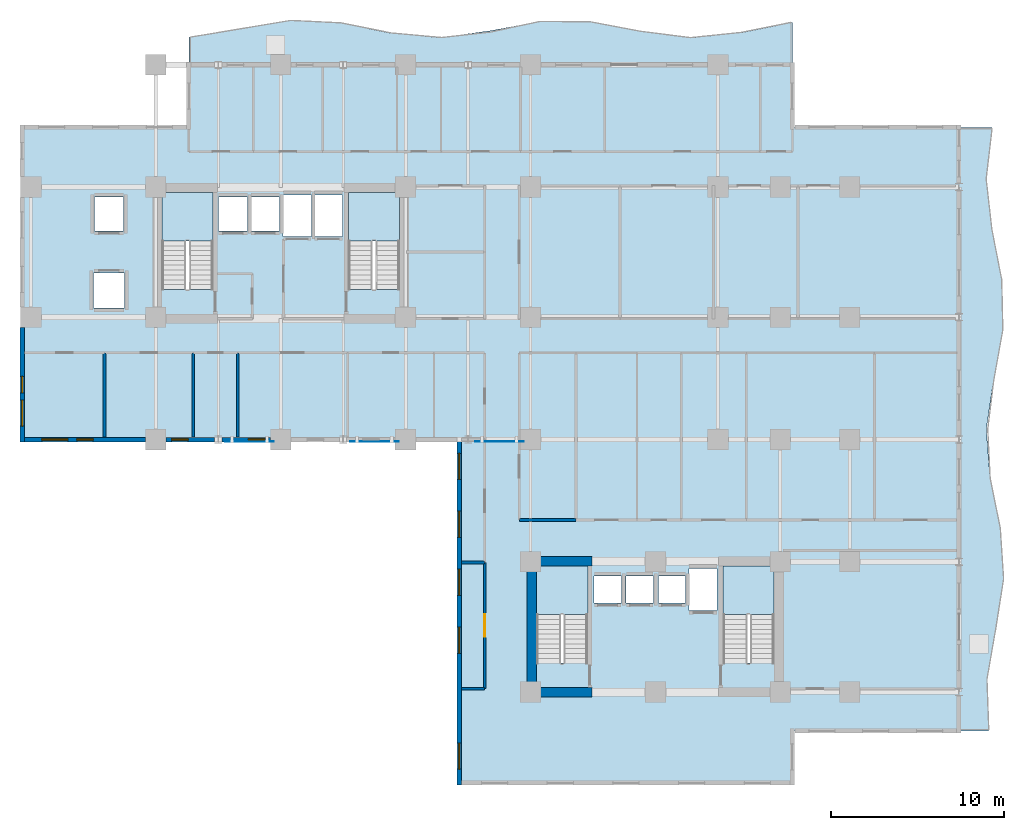
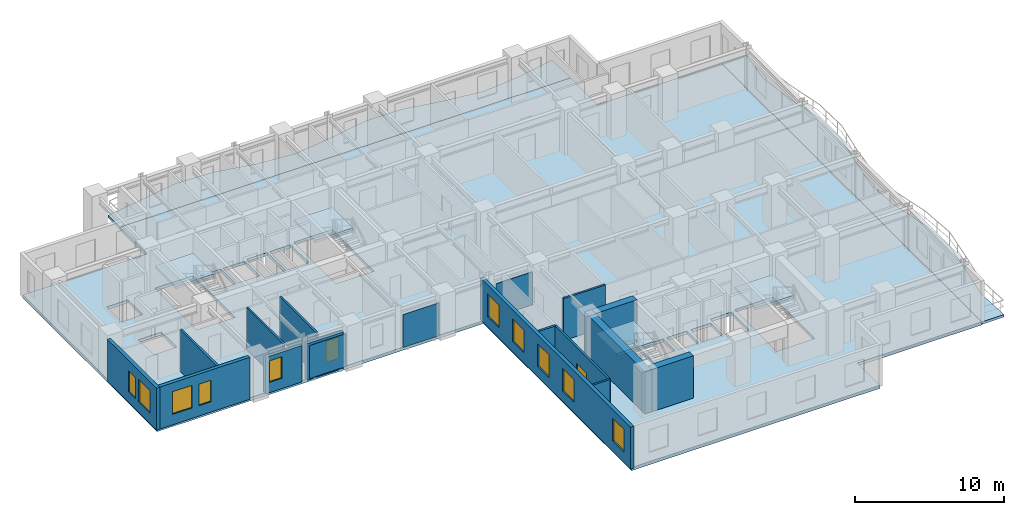
# One storey, part 2 of 11: 15 walls, 11 windows, 7 slabs, 3 plates, 1 door, 12 openings, 4 elements without a shape of their own.
"""IFC4 building model written with IfcOpenShell, lengths in metres."""

import ifcopenshell
import ifcopenshell.guid

model = None  # the IFC model being written
_history = None  # IfcOwnerHistory: only IFC2X3 demands one
_inside = {}  # id of a spatial element -> (the spatial element, [elements in it])
_under = {}  # id of a project, library or spatial element -> (it, [spatial elements below it])
_declared = {}  # id of a project -> (the project, [libraries it declares])
_typed = {}  # id of a type object -> (the type object, [elements of that type])
_made_of = {}  # id of a material, layer set ... -> (it, [elements and type objects made of it])


def new_model(schema):
    """Start an empty IFC model of exactly this schema.

    Asked for "IFC4X3", IfcOpenShell would pick the latest addendum, in which some entities
    have other attributes; the version numbers below select the first issue.
    IFC2X3 requires an IfcOwnerHistory on every rooted entity: one is made here for all.
    """
    global model, _history
    if schema == "IFC4X3":
        model = ifcopenshell.file(schema_version=(4, 3, 0, 0))
    else:
        model = ifcopenshell.file(schema=schema)
    _inside.clear()
    _under.clear()
    _declared.clear()
    _typed.clear()
    _made_of.clear()
    _history = None
    if model.schema == "IFC2X3":
        org = make("IfcOrganization", Name="unknown")
        user = make(
            "IfcPersonAndOrganization",
            ThePerson=make("IfcPerson", FamilyName="unknown"),
            TheOrganization=org,
        )
        app = make(
            "IfcApplication",
            ApplicationDeveloper=org,
            Version="unknown",
            ApplicationFullName="unknown",
            ApplicationIdentifier="unknown",
        )
        _history = make(
            "IfcOwnerHistory",
            OwningUser=user,
            OwningApplication=app,
            ChangeAction="ADDED",
            CreationDate=0,
        )
    return model


def make(cls, **values):
    """One entity of the class cls with the attributes given. An attribute that is None is left unset."""
    return model.create_entity(
        cls, **{name: value for name, value in values.items() if value is not None}
    )


def rooted(cls, **values):
    """An entity with a GlobalId (a new one), such as an element, a storey or a relation."""
    return make(cls, GlobalId=ifcopenshell.guid.new(), OwnerHistory=_history, **values)


def si_unit(unit_type, name, prefix=None):
    """IfcSIUnit, for example si_unit("LENGTHUNIT", "METRE", prefix="MILLI")."""
    return make("IfcSIUnit", UnitType=unit_type, Prefix=prefix, Name=name)


def assignment(units):
    """IfcUnitAssignment: the units of a project."""
    return None if units is None else make("IfcUnitAssignment", Units=units)


def point(xyz):
    """IfcCartesianPoint."""
    return None if xyz is None else make("IfcCartesianPoint", Coordinates=xyz)


def direction(xyz):
    """IfcDirection."""
    return None if xyz is None else make("IfcDirection", DirectionRatios=xyz)


def frame(location, z_axis=None, x_axis=None):
    """IfcAxis2Placement3D, a coordinate frame: its origin and axes. An axis left out is left unset."""
    return make(
        "IfcAxis2Placement3D",
        Location=point(location),
        Axis=direction(z_axis),
        RefDirection=direction(x_axis),
    )


def frame_2d(location, x_axis=None):
    """IfcAxis2Placement2D, a coordinate frame in the plane: its origin and x axis."""
    return make(
        "IfcAxis2Placement2D", Location=point(location), RefDirection=direction(x_axis)
    )


def origin():
    """The frame at (0, 0, 0) with its axes left unset."""
    return frame((0.0, 0.0, 0.0))


def origin_2d():
    """The frame at (0, 0) in the plane with its x axis left unset."""
    return frame_2d((0.0, 0.0))


def place(relative_to, where):
    """IfcLocalPlacement: puts the frame where relative to a parent placement (None: the world)."""
    return make(
        "IfcLocalPlacement", PlacementRelTo=relative_to, RelativePlacement=where
    )


def context(
    kind, dimensions, precision=None, world=None, true_north=None, identifier=None
):
    """IfcGeometricRepresentationContext, for example the 3D "Model" context."""
    return make(
        "IfcGeometricRepresentationContext",
        ContextIdentifier=identifier,
        ContextType=kind,
        CoordinateSpaceDimension=dimensions,
        Precision=precision,
        WorldCoordinateSystem=world,
        TrueNorth=true_north,
    )


def subcontext(parent, identifier, kind, view, scale=None):
    """IfcGeometricRepresentationSubContext, for example "Body" below "Model"."""
    return make(
        "IfcGeometricRepresentationSubContext",
        ContextIdentifier=identifier,
        ContextType=kind,
        ParentContext=parent,
        TargetScale=scale,
        TargetView=view,
    )


def project(units=None, contexts=None):
    """IfcProject with its units and contexts."""
    return rooted(
        "IfcProject",
        Name="project",
        RepresentationContexts=contexts,
        UnitsInContext=assignment(units),
    )


def spatial(cls, under=None, at=None, **own):
    """A site, building, storey or space (cls), placed at a placement, below another one or the project."""
    s = rooted(cls, ObjectPlacement=at, **own)
    if under is not None:
        _under.setdefault(under.id(), (under, []))[1].append(s)
    return s


def polyline(points):
    """IfcPolyline through the points."""
    return make("IfcPolyline", Points=[point(p) for p in points])


def profile(cls, at=None, kind="AREA", **sizes):
    """A parametric profile (cls). Its sizes go by their IFC names, for example OverallWidth=200.0."""
    return make(cls, ProfileType=kind, Position=at, **sizes)


def rectangle(**sizes):
    """IfcRectangleProfileDef."""
    return profile("IfcRectangleProfileDef", **sizes)


def outline(outer, holes=None, kind="AREA"):
    """IfcArbitraryClosedProfileDef: a profile drawn as a closed curve; with holes, ...WithVoids."""
    if holes is None:
        return make("IfcArbitraryClosedProfileDef", ProfileType=kind, OuterCurve=outer)
    return make(
        "IfcArbitraryProfileDefWithVoids",
        ProfileType=kind,
        OuterCurve=outer,
        InnerCurves=holes,
    )


def extrude(swept, where, along, depth):
    """IfcExtrudedAreaSolid: the profile swept, set in the frame where, extruded along a direction by depth."""
    return make(
        "IfcExtrudedAreaSolid",
        SweptArea=swept,
        Position=where,
        ExtrudedDirection=direction(along),
        Depth=depth,
    )


def shape(context_of_items, identifier, shape_type, items):
    """IfcShapeRepresentation: the items that make up one representation, for example the "Body"."""
    return make(
        "IfcShapeRepresentation",
        ContextOfItems=context_of_items,
        RepresentationIdentifier=identifier,
        RepresentationType=shape_type,
        Items=items,
    )


def source(mapping_origin, context_of_items, identifier, shape_type, items):
    """IfcRepresentationMap: a shape defined once, which mapped items show again and again."""
    return make(
        "IfcRepresentationMap",
        MappingOrigin=mapping_origin,
        MappedRepresentation=shape(context_of_items, identifier, shape_type, items),
    )


def transform(
    local_origin,
    x_axis=None,
    y_axis=None,
    z_axis=None,
    scale=None,
    scale2=None,
    scale3=None,
    uniform=True,
):
    """IfcCartesianTransformationOperator3D, or its non-uniform kind. x_axis, y_axis, z_axis: its Axis1, 2, 3."""
    if uniform:
        return make(
            "IfcCartesianTransformationOperator3D",
            Axis1=direction(x_axis),
            Axis2=direction(y_axis),
            LocalOrigin=point(local_origin),
            Scale=scale,
            Axis3=direction(z_axis),
        )
    return make(
        "IfcCartesianTransformationOperator3DnonUniform",
        Axis1=direction(x_axis),
        Axis2=direction(y_axis),
        LocalOrigin=point(local_origin),
        Scale=scale,
        Axis3=direction(z_axis),
        Scale2=scale2,
        Scale3=scale3,
    )


def mapped(mapping_source, mapping_target):
    """IfcMappedItem: shows the shape of a source again, moved by a transform."""
    return make(
        "IfcMappedItem", MappingSource=mapping_source, MappingTarget=mapping_target
    )


def material(Name=None, Category=None):
    """IfcMaterial."""
    return make("IfcMaterial", Name=Name, Category=Category)


def layer(
    of_material, thickness, ventilated=None, Name=None, Category=None, Priority=None
):
    """IfcMaterialLayer: one layer of a wall or slab, of a material (None: an air gap)."""
    return make(
        "IfcMaterialLayer",
        Material=of_material,
        LayerThickness=thickness,
        IsVentilated=ventilated,
        Name=Name,
        Category=Category,
        Priority=Priority,
    )


def layer_set(layers, Name=None):
    """IfcMaterialLayerSet."""
    return make("IfcMaterialLayerSet", MaterialLayers=layers, LayerSetName=Name)


def made_of(thing, what):
    """Note that an element or type object is made of a material, layer set ...; save() writes the relation."""
    if what is not None:
        _made_of.setdefault(what.id(), (what, []))[1].append(thing)
    return thing


def type_object(cls, material=None, **own):
    """A type object (cls), such as IfcWallType, which elements share."""
    return made_of(rooted(cls, **own), material)


def element(
    cls,
    number,
    at=None,
    inside=None,
    cuts=None,
    type_object=None,
    material=None,
    context=None,
    identifier="Body",
    shape_type=None,
    held_by="IfcProductDefinitionShape",
    body=None,
    shapes=None,
    **own,
):
    """One element of the class cls, such as IfcWall. Its Tag is "e" and its number.

    at: its placement. inside: the storey or other place that contains it. cuts: it is an
    opening in that element (IfcRelVoidsElement). A single representation is given by context,
    identifier, shape_type and body (its items); several are given by shapes. held_by: the class
    of the entity that holds the representations. save() writes the other relations.
    """
    e = rooted(cls, Tag="e%d" % number, ObjectPlacement=at, **own)
    if body is not None:
        shapes = [shape(context, identifier, shape_type, body)]
    if shapes is not None:
        e.Representation = make(held_by, Representations=shapes)
    if inside is not None:
        _inside.setdefault(inside.id(), (inside, []))[1].append(e)
    if cuts is not None:
        rooted(
            "IfcRelVoidsElement", RelatingBuildingElement=cuts, RelatedOpeningElement=e
        )
    if type_object is not None:
        _typed.setdefault(type_object.id(), (type_object, []))[1].append(e)
    return made_of(e, material)


def fill(opening, filler):
    """IfcRelFillsElement: the door or window that sits in an opening."""
    return rooted(
        "IfcRelFillsElement",
        RelatingOpeningElement=opening,
        RelatedBuildingElement=filler,
    )


def aggregate(whole, parts):
    """IfcRelAggregates: a whole, such as a stair, and the parts it consists of."""
    return rooted("IfcRelAggregates", RelatingObject=whole, RelatedObjects=parts)


def save(model, path):
    """Write the relations noted so far, then the file.

    IfcRelAggregates (storeys below a building ...), IfcRelContainedInSpatialStructure (elements
    in a storey), IfcRelDefinesByType, IfcRelAssociatesMaterial and IfcRelDeclares: one each for
    every whole, place, type object, material and project.
    """
    for whole, parts in _under.values():
        aggregate(whole, parts)
    for where, things in _inside.values():
        rooted(
            "IfcRelContainedInSpatialStructure",
            RelatedElements=things,
            RelatingStructure=where,
        )
    for kind, things in _typed.values():
        rooted("IfcRelDefinesByType", RelatedObjects=things, RelatingType=kind)
    for what, things in _made_of.values():
        rooted("IfcRelAssociatesMaterial", RelatedObjects=things, RelatingMaterial=what)
    for by, libraries in _declared.values():
        rooted("IfcRelDeclares", RelatingContext=by, RelatedDefinitions=libraries)
    model.write(path)


model = new_model("IFC4")

# Units and contexts
model_context = context("Model", 3, precision=1e-05, world=origin(), true_north=direction((0.0, 1.0)))
body_context = subcontext(model_context, "Body", "Model", "MODEL_VIEW")
ifc_project = project(units=[si_unit("LENGTHUNIT", "METRE"), si_unit("AREAUNIT", "SQUARE_METRE"), si_unit("VOLUMEUNIT", "CUBIC_METRE"), si_unit("PLANEANGLEUNIT", "RADIAN"), si_unit("MASSUNIT", "GRAM", prefix="KILO")], contexts=[model_context])

# Site, building, storey
site_placement = place(None, origin())
site = spatial("IfcSite", under=ifc_project, at=site_placement, CompositionType="ELEMENT")
building_placement = place(site_placement, origin())
building = spatial("IfcBuilding", under=site, at=building_placement, Name="Kaliganga Portal Commons", CompositionType="ELEMENT")
storey_placement = place(building_placement, frame((0.0, 0.0, 119.300048828125)))
storey = spatial("IfcBuildingStorey", under=building, at=storey_placement, Name="L30", CompositionType="ELEMENT", Elevation=119.300048828125)

# Slabs
ifc_material_1 = material(Name="Concrete C40/50", Category="concrete")
ifc_layer_1 = layer(ifc_material_1, 0.2099609375)
ifc_layer_set_1 = layer_set([ifc_layer_1], Name="Concrete C40/50")
slab_type_1 = type_object("IfcSlabType", Name="SLB-BALC-210", PredefinedType="FLOOR", material=ifc_layer_set_1)
slab_1_placement = place(storey_placement, frame((0.0, 0.0, -0.2099609375)))
element("IfcSlab", 1, at=slab_1_placement, inside=storey, type_object=slab_type_1, Name="Scalloped Tree-Planter Balcony Slab L30 balc_north", PredefinedType="FLOOR", context=body_context, shape_type="SweptSolid", body=[
    extrude(outline(polyline([(51.10009765625, 43.199951171875), (51.10009765625, 45.6484375), (48.199951171875, 45.06689453125), (45.300048828125, 44.76611328125), (42.39990234375, 45.137939453125), (39.5, 45.697998046875), (36.60009765625, 45.716552734375), (33.699951171875, 45.16943359375), (30.800048828125, 44.76953125), (27.89990234375, 45.03759765625), (25.0, 45.624755859375), (22.10009765625, 45.765625), (19.199951171875, 45.27685546875), (16.300048828125, 44.79541015625), (16.300048828125, 43.199951171875), (51.10009765625, 43.199951171875)])), origin(), (0.0, 0.0, 1.0), 0.2099609375),
])
slab_2_placement = place(storey_placement, frame((0.0, 0.0, -0.2099609375)))
element("IfcSlab", 2, at=slab_2_placement, inside=storey, type_object=slab_type_1, Name="Scalloped Tree-Planter Balcony Slab L30 balc_east", PredefinedType="FLOOR", context=body_context, shape_type="SweptSolid", body=[
    extrude(outline(polyline([(60.699951171875, 4.800048828125), (62.416259765625, 4.800048828125), (62.311767578125, 7.699951171875), (62.8203125, 10.60009765625), (63.279296875, 13.5), (63.091064453125, 16.39990234375), (62.50048828125, 19.300048828125), (62.277099609375, 22.199951171875), (62.712158203125, 25.10009765625), (63.238525390625, 28.0), (63.170654296875, 30.89990234375), (62.5966796875, 33.800048828125), (62.2646484375, 36.699951171875), (62.60693359375, 39.60009765625), (60.699951171875, 39.60009765625), (60.699951171875, 4.800048828125)])), origin(), (0.0, 0.0, 1.0), 0.2099609375),
])

# Stair, slab
stair_type = type_object("IfcStairType", Name="ST-CORE-DOGLEG", PredefinedType="HALF_TURN_STAIR", material=ifc_material_1)
stair_1_placement = place(storey_placement, origin())
stair_1 = element("IfcStair", 3, at=stair_1_placement, inside=storey, type_object=stair_type, Name="L30 Protected Exit Stair ST-A1", PredefinedType="HALF_TURN_STAIR")
ifc_layer_2 = layer(ifc_material_1, 0.199951171875)
ifc_layer_set_2 = layer_set([ifc_layer_2], Name="Concrete C40/50")
slab_type_2 = type_object("IfcSlabType", Name="SLB-STAIR-LND", PredefinedType="LANDING", material=ifc_layer_set_2)
slab_3_placement = place(storey_placement, frame((0.0, 0.0, 1.64990234375)))
slab_3 = element("IfcSlab", 4, at=slab_3_placement, type_object=slab_type_2, Name="ST-A1 landing 1", PredefinedType="LANDING", context=body_context, shape_type="SweptSolid", body=[
    extrude(outline(polyline([(17.699951171875, 33.050048828125), (17.699951171875, 35.85009765625), (14.75, 35.85009765625), (14.75, 33.050048828125), (17.699951171875, 33.050048828125)])), origin(), (0.0, 0.0, 1.0), 0.199951171875),
])
aggregate(stair_1, [slab_3])

stair_2_placement = place(storey_placement, origin())
stair_2 = element("IfcStair", 5, at=stair_2_placement, inside=storey, type_object=stair_type, Name="L30 Protected Exit Stair ST-A2", PredefinedType="HALF_TURN_STAIR")
slab_4_placement = place(storey_placement, frame((0.0, 0.0, 1.64990234375)))
slab_4 = element("IfcSlab", 6, at=slab_4_placement, type_object=slab_type_2, Name="ST-A2 landing 1", PredefinedType="LANDING", context=body_context, shape_type="SweptSolid", body=[
    extrude(outline(polyline([(28.449951171875, 33.050048828125), (28.449951171875, 35.85009765625), (25.5, 35.85009765625), (25.5, 33.050048828125), (28.449951171875, 33.050048828125)])), origin(), (0.0, 0.0, 1.0), 0.199951171875),
])
aggregate(stair_2, [slab_4])

stair_3_placement = place(storey_placement, origin())
stair_3 = element("IfcStair", 7, at=stair_3_placement, inside=storey, type_object=stair_type, Name="L30 Protected Exit Stair ST-B1", PredefinedType="HALF_TURN_STAIR")
slab_5_placement = place(storey_placement, frame((0.0, 0.0, 1.64990234375)))
slab_5 = element("IfcSlab", 8, at=slab_5_placement, type_object=slab_type_2, Name="ST-B1 landing 1", PredefinedType="LANDING", context=body_context, shape_type="SweptSolid", body=[
    extrude(outline(polyline([(39.300048828125, 11.5), (39.300048828125, 14.300048828125), (36.35009765625, 14.300048828125), (36.35009765625, 11.5), (39.300048828125, 11.5)])), origin(), (0.0, 0.0, 1.0), 0.199951171875),
])
aggregate(stair_3, [slab_5])

stair_4_placement = place(storey_placement, origin())
stair_4 = element("IfcStair", 9, at=stair_4_placement, inside=storey, type_object=stair_type, Name="L30 Protected Exit Stair ST-B2", PredefinedType="HALF_TURN_STAIR")
slab_6_placement = place(storey_placement, frame((0.0, 0.0, 1.64990234375)))
slab_6 = element("IfcSlab", 10, at=slab_6_placement, type_object=slab_type_2, Name="ST-B2 landing 1", PredefinedType="LANDING", context=body_context, shape_type="SweptSolid", body=[
    extrude(outline(polyline([(50.050048828125, 11.5), (50.050048828125, 14.300048828125), (47.10009765625, 14.300048828125), (47.10009765625, 11.5), (50.050048828125, 11.5)])), origin(), (0.0, 0.0, 1.0), 0.199951171875),
])
aggregate(stair_4, [slab_6])

# Slab
ifc_layer_3 = layer(ifc_material_1, 0.25)
ifc_layer_set_3 = layer_set([ifc_layer_3], Name="Concrete C40/50")
slab_type_3 = type_object("IfcSlabType", Name="SLB-TWR-250", PredefinedType="FLOOR", material=ifc_layer_set_3)
slab_7_placement = place(storey_placement, frame((0.0, 0.0, -0.25)))
element("IfcSlab", 11, at=slab_7_placement, inside=storey, type_object=slab_type_3, Name="Structural Floor Slab L30", PredefinedType="FLOOR", context=body_context, shape_type="SweptSolid", body=[
    extrude(outline(polyline([(31.89990234375, 1.800048828125), (51.10009765625, 1.800048828125), (51.10009765625, 4.800048828125), (60.699951171875, 4.800048828125), (60.699951171875, 39.60009765625), (51.10009765625, 39.60009765625), (51.10009765625, 43.199951171875), (16.300048828125, 43.199951171875), (16.300048828125, 39.60009765625), (6.699951171875, 39.60009765625), (6.699951171875, 21.60009765625), (31.89990234375, 21.60009765625), (31.89990234375, 1.800048828125)]), holes=[polyline([(14.75, 30.25390625), (14.75, 35.85009765625), (17.699951171875, 35.85009765625), (17.699951171875, 30.25390625), (14.75, 30.25390625)]), polyline([(25.5, 30.25390625), (25.5, 35.85009765625), (28.449951171875, 35.85009765625), (28.449951171875, 30.25390625), (25.5, 30.25390625)]), polyline([(36.35009765625, 8.7041015625), (36.35009765625, 14.300048828125), (39.300048828125, 14.300048828125), (39.300048828125, 8.7041015625), (36.35009765625, 8.7041015625)]), polyline([(47.10009765625, 8.7041015625), (47.10009765625, 14.300048828125), (50.050048828125, 14.300048828125), (50.050048828125, 8.7041015625), (47.10009765625, 8.7041015625)]), polyline([(18.014892578125, 33.614990234375), (18.014892578125, 35.5849609375), (19.68505859375, 35.5849609375), (19.68505859375, 33.614990234375), (18.014892578125, 33.614990234375)]), polyline([(19.864990234375, 33.614990234375), (19.864990234375, 35.5849609375), (21.534912109375, 35.5849609375), (21.534912109375, 33.614990234375), (19.864990234375, 33.614990234375)]), polyline([(10.81494140625, 29.18994140625), (10.81494140625, 31.2099609375), (12.5849609375, 31.2099609375), (12.5849609375, 29.18994140625), (10.81494140625, 29.18994140625)]), polyline([(10.864990234375, 33.614990234375), (10.864990234375, 35.5849609375), (12.534912109375, 35.5849609375), (12.534912109375, 33.614990234375), (10.864990234375, 33.614990234375)]), polyline([(21.739990234375, 33.2900390625), (21.739990234375, 35.7099609375), (23.360107421875, 35.7099609375), (23.360107421875, 33.2900390625), (21.739990234375, 33.2900390625)]), polyline([(23.5400390625, 33.2900390625), (23.5400390625, 35.7099609375), (25.159912109375, 35.7099609375), (25.159912109375, 33.2900390625), (23.5400390625, 33.2900390625)]), polyline([(39.6650390625, 12.1650390625), (39.6650390625, 13.735107421875), (41.235107421875, 13.735107421875), (41.235107421875, 12.1650390625), (39.6650390625, 12.1650390625)]), polyline([(41.514892578125, 12.1650390625), (41.514892578125, 13.735107421875), (43.0849609375, 13.735107421875), (43.0849609375, 12.1650390625), (41.514892578125, 12.1650390625)]), polyline([(43.364990234375, 12.1650390625), (43.364990234375, 13.735107421875), (44.93505859375, 13.735107421875), (44.93505859375, 12.1650390625), (43.364990234375, 12.1650390625)]), polyline([(45.139892578125, 11.739990234375), (45.139892578125, 14.159912109375), (46.760009765625, 14.159912109375), (46.760009765625, 11.739990234375), (45.139892578125, 11.739990234375)])]), origin(), (0.0, 0.0, 1.0), 0.25),
])

# Plates
ifc_material_2 = material(Name="Perforated Terracotta Monsoon Baguette Screen", Category="masonry")
ifc_layer_4 = layer(ifc_material_2, 0.034912109375)
ifc_layer_set_4 = layer_set([ifc_layer_4], Name="Perforated Terracotta Monsoon Baguette Screen")
plate_type = type_object("IfcPlateType", Name="PLT-CER-35", PredefinedType="USERDEFINED", material=ifc_layer_set_4)
shared_shape = source(origin(), body_context, "Body", "SweptSolid", [
    extrude(rectangle(XDim=2.800048828125, YDim=0.034912109375, at=origin_2d()), origin(), (0.0, 0.0, 1.0), 2.68994140625),
])
for number, where, z_axis, x_axis, name in (
    (12, (19.800048828125, 21.47998046875, 0.080078125), (0.0, 0.0, 1.0), (1.0, 0.0, 0.0), "Perforated Solar Screen L30-S1"),
    (13, (27.0, 21.47998046875, 0.080078125), (0.0, 0.0, 1.0), (1.0, 0.0, 0.0), "Perforated Solar Screen L30-S2"),
    (14, (34.199951171875, 21.47998046875, 0.080078125), (0.0, 0.0, 1.0), (1.0, 0.0, 0.0), "Perforated Solar Screen L30-S3"),
):
    element("IfcPlate", number, at=place(storey_placement, frame(where, z_axis=z_axis, x_axis=x_axis)), inside=storey, type_object=plate_type, Name=name, ObjectType="SOLAR SCREEN", PredefinedType="USERDEFINED", context=body_context, shape_type="MappedRepresentation", body=[
        mapped(shared_shape, transform((0.0, 0.0, 0.0), x_axis=(1.0, 0.0, 0.0), y_axis=(0.0, 1.0, 0.0), z_axis=(0.0, 0.0, 1.0), scale=1.0)),
    ])

# Walls
ifc_material_3 = material(Name="Concrete C60/75", Category="concrete")
ifc_layer_5 = layer(ifc_material_3, 0.550048828125)
ifc_layer_set_5 = layer_set([ifc_layer_5], Name="Concrete C60/75")
wall_type_1 = type_object("IfcWallType", Name="WL-CORE-550", PredefinedType="SHEAR", material=ifc_layer_set_5)
wall_1_placement = place(storey_placement, frame((36.074951171875, 6.75, 0.0), z_axis=(0.0, 0.0, 1.0), x_axis=(0.0, 1.0, 0.0)))
element("IfcWall", 15, at=wall_1_placement, inside=storey, type_object=wall_type_1, Name="Core B West Shear Wall L30", PredefinedType="SHEAR", context=body_context, shape_type="SweptSolid", body=[
    extrude(rectangle(XDim=8.10009765625, YDim=0.550048828125, at=frame_2d((4.050048828125, 0.0))), origin(), (0.0, 0.0, 1.0), 3.449951171875),
])
for number, where, z_axis, x_axis, name in (
    (16, (36.35009765625, 7.02490234375, 0.0), (0.0, 0.0, 1.0), (1.0, 0.0, 0.0), "Core B S-West Shear Wall L30"),
    (17, (36.35009765625, 14.574951171875, 0.0), (0.0, 0.0, 1.0), (1.0, 0.0, 0.0), "Core B N-West Shear Wall L30"),
):
    element("IfcWall", number, at=place(storey_placement, frame(where, z_axis=z_axis, x_axis=x_axis)), inside=storey, type_object=wall_type_1, Name=name, PredefinedType="SHEAR", context=body_context, shape_type="SweptSolid", body=[
        extrude(rectangle(XDim=3.199951171875, YDim=0.550048828125, at=frame_2d((1.60009765625, 0.0))), origin(), (0.0, 0.0, 1.0), 3.449951171875),
    ])

# Wall, openings, windows
ifc_material_4 = material(Name="Insulated Aluminium-Clad Spandrel Assembly", Category="aluminium")
ifc_layer_6 = layer(ifc_material_4, 0.260009765625)
ifc_layer_set_6 = layer_set([ifc_layer_6], Name="Insulated Aluminium-Clad Spandrel Assembly")
wall_type_2 = type_object("IfcWallType", Name="WL-EXT-SPAND-260", PredefinedType="STANDARD", material=ifc_layer_set_6)
wall_2_placement = place(storey_placement, frame((6.699951171875, 21.469970703125, 0.0), z_axis=(0.0, 0.0, 1.0), x_axis=(0.0, 1.0, 0.0)))
wall_2 = element("IfcWall", 18, at=wall_2_placement, inside=storey, type_object=wall_type_2, Name="Exterior Envelope Wall L30 P1-E09-S3", PredefinedType="STANDARD", context=body_context, shape_type="SweptSolid", body=[
    extrude(rectangle(XDim=6.5791015625, YDim=0.260009765625, at=frame_2d((3.28955078125, 0.0))), origin(), (0.0, 0.0, 1.0), 3.429931640625),
])
opening_1_placement = place(wall_2_placement, frame((0.894775390625, 0.0, 0.85009765625)))
opening_1 = element("IfcOpeningElement", 19, at=opening_1_placement, cuts=wall_2, Name="Opening W-02", PredefinedType="OPENING", context=body_context, shape_type="SweptSolid", body=[
    extrude(rectangle(XDim=1.5, YDim=1.85009765625, at=frame_2d((0.75, 0.925048828125))), frame((0.0, 0.14013671875, 0.0), z_axis=(0.0, -1.0, 0.0), x_axis=(1.0, 0.0, 0.0)), (0.0, 0.0, 1.0), 0.280029296875),
])
opening_2_placement = place(wall_2_placement, frame((2.814453125, 0.0, 0.85009765625)))
opening_2 = element("IfcOpeningElement", 20, at=opening_2_placement, cuts=wall_2, Name="Opening W-04", PredefinedType="OPENING", context=body_context, shape_type="SweptSolid", body=[
    extrude(rectangle(XDim=0.949951171875, YDim=1.75, at=frame_2d((0.47509765625, 0.875))), frame((0.0, 0.14013671875, 0.0), z_axis=(0.0, -1.0, 0.0), x_axis=(1.0, 0.0, 0.0)), (0.0, 0.0, 1.0), 0.280029296875),
])
ifc_material_5 = material(Name="Thermally Broken Aluminium and Low-E Double Glazing", Category="aluminium")
window_type_1 = type_object("IfcWindowType", Name="WIN-NARROW-950", PartitioningType="SINGLE_PANEL", PredefinedType="WINDOW", material=ifc_material_5)
window_1_placement = place(opening_2_placement, origin())
window_1 = element("IfcWindow", 21, at=window_1_placement, inside=storey, type_object=window_type_1, Name="Facade Window L30-P1E09S3-N0", OverallHeight=1.75, OverallWidth=0.949951171875, PartitioningType="SINGLE_PANEL", PredefinedType="WINDOW", context=body_context, shape_type="SweptSolid", body=[
    extrude(rectangle(XDim=0.949951171875, YDim=1.75, at=frame_2d((0.47509765625, 0.875))), frame((0.0, 0.030029296875, 0.0), z_axis=(0.0, -1.0, 0.0), x_axis=(1.0, 0.0, 0.0)), (0.0, 0.0, 1.0), 0.06005859375),
])
fill(opening_2, window_1)
window_type_2 = type_object("IfcWindowType", Name="WIN-STD-1500", PartitioningType="DOUBLE_PANEL_VERTICAL", PredefinedType="WINDOW", material=ifc_material_5)
window_2_placement = place(opening_1_placement, origin())
window_2 = element("IfcWindow", 22, at=window_2_placement, inside=storey, type_object=window_type_2, Name="Facade Window L30-P1E09S3-00", OverallHeight=1.85009765625, OverallWidth=1.5, PartitioningType="SINGLE_PANEL", PredefinedType="WINDOW", context=body_context, shape_type="SweptSolid", body=[
    extrude(rectangle(XDim=1.5, YDim=1.85009765625, at=frame_2d((0.75, 0.925048828125))), frame((0.0, 0.030029296875, 0.0), z_axis=(0.0, -1.0, 0.0), x_axis=(1.0, 0.0, 0.0)), (0.0, 0.0, 1.0), 0.06005859375),
])
fill(opening_1, window_2)

wall_3_placement = place(storey_placement, frame((13.799072265625, 21.60009765625, 0.0), z_axis=(0.0, 0.0, 1.0), x_axis=(-1.0, 0.0, 0.0)))
wall_3 = element("IfcWall", 23, at=wall_3_placement, inside=storey, type_object=wall_type_2, Name="Exterior Envelope Wall L30 P1-E10-S1", PredefinedType="STANDARD", context=body_context, shape_type="SweptSolid", body=[
    extrude(rectangle(XDim=6.964111328125, YDim=0.260009765625, at=frame_2d((3.48193359375, 0.0))), origin(), (0.0, 0.0, 1.0), 3.429931640625),
])
opening_3_placement = place(wall_3_placement, frame((4.472900390625, 0.0, 0.85009765625)))
opening_3 = element("IfcOpeningElement", 24, at=opening_3_placement, cuts=wall_3, Name="Opening W-02", PredefinedType="OPENING", context=body_context, shape_type="SweptSolid", body=[
    extrude(rectangle(XDim=1.5, YDim=1.85009765625, at=frame_2d((0.75, 0.925048828125))), frame((0.0, 0.14013671875, 0.0), z_axis=(0.0, -1.0, 0.0), x_axis=(1.0, 0.0, 0.0)), (0.0, 0.0, 1.0), 0.280029296875),
])
opening_4_placement = place(wall_3_placement, frame((3.007080078125, 0.0, 0.85009765625)))
opening_4 = element("IfcOpeningElement", 25, at=opening_4_placement, cuts=wall_3, Name="Opening W-04", PredefinedType="OPENING", context=body_context, shape_type="SweptSolid", body=[
    extrude(rectangle(XDim=0.949951171875, YDim=1.75, at=frame_2d((0.47509765625, 0.875))), frame((0.0, 0.14013671875, 0.0), z_axis=(0.0, -1.0, 0.0), x_axis=(1.0, 0.0, 0.0)), (0.0, 0.0, 1.0), 0.280029296875),
])
window_3_placement = place(opening_4_placement, origin())
window_3 = element("IfcWindow", 26, at=window_3_placement, inside=storey, type_object=window_type_1, Name="Facade Window L30-P1E10S1-N0", OverallHeight=1.75, OverallWidth=0.949951171875, PartitioningType="SINGLE_PANEL", PredefinedType="WINDOW", context=body_context, shape_type="SweptSolid", body=[
    extrude(rectangle(XDim=0.949951171875, YDim=1.75, at=frame_2d((0.47509765625, 0.875))), frame((0.0, 0.030029296875, 0.0), z_axis=(0.0, -1.0, 0.0), x_axis=(1.0, 0.0, 0.0)), (0.0, 0.0, 1.0), 0.06005859375),
])
fill(opening_4, window_3)
window_4_placement = place(opening_3_placement, origin())
window_4 = element("IfcWindow", 27, at=window_4_placement, inside=storey, type_object=window_type_2, Name="Facade Window L30-P1E10S1-01", OverallHeight=1.85009765625, OverallWidth=1.5, PartitioningType="SINGLE_PANEL", PredefinedType="WINDOW", context=body_context, shape_type="SweptSolid", body=[
    extrude(rectangle(XDim=1.5, YDim=1.85009765625, at=frame_2d((0.75, 0.925048828125))), frame((0.0, 0.030029296875, 0.0), z_axis=(0.0, -1.0, 0.0), x_axis=(1.0, 0.0, 0.0)), (0.0, 0.0, 1.0), 0.06005859375),
])
fill(opening_3, window_4)

# Wall, opening, window
wall_4_placement = place(storey_placement, frame((17.79443359375, 21.60009765625, 0.0), z_axis=(0.0, 0.0, 1.0), x_axis=(-1.0, 0.0, 0.0)))
wall_4 = element("IfcWall", 28, at=wall_4_placement, inside=storey, type_object=wall_type_2, Name="Exterior Envelope Wall L30 P1-E10-S2", PredefinedType="STANDARD", context=body_context, shape_type="SweptSolid", body=[
    extrude(rectangle(XDim=2.79345703125, YDim=0.260009765625, at=frame_2d((1.396728515625, 0.0))), origin(), (0.0, 0.0, 1.0), 2.97998046875),
])
opening_5_placement = place(wall_4_placement, frame((1.536376953125, 0.0, 0.85009765625)))
opening_5 = element("IfcOpeningElement", 29, at=opening_5_placement, cuts=wall_4, Name="Opening W-04", PredefinedType="OPENING", context=body_context, shape_type="SweptSolid", body=[
    extrude(rectangle(XDim=0.949951171875, YDim=1.75, at=frame_2d((0.47509765625, 0.875))), frame((0.0, 0.14013671875, 0.0), z_axis=(0.0, -1.0, 0.0), x_axis=(1.0, 0.0, 0.0)), (0.0, 0.0, 1.0), 0.280029296875),
])
window_5_placement = place(opening_5_placement, origin())
window_5 = element("IfcWindow", 30, at=window_5_placement, inside=storey, type_object=window_type_1, Name="Facade Window L30-P1E10S2-N4", OverallHeight=1.75, OverallWidth=0.949951171875, PartitioningType="SINGLE_PANEL", PredefinedType="WINDOW", context=body_context, shape_type="SweptSolid", body=[
    extrude(rectangle(XDim=0.949951171875, YDim=1.75, at=frame_2d((0.47509765625, 0.875))), frame((0.0, 0.030029296875, 0.0), z_axis=(0.0, -1.0, 0.0), x_axis=(1.0, 0.0, 0.0)), (0.0, 0.0, 1.0), 0.06005859375),
])
fill(opening_5, window_5)

wall_5_placement = place(storey_placement, frame((20.9990234375, 21.60009765625, 0.0), z_axis=(0.0, 0.0, 1.0), x_axis=(-1.0, 0.0, 0.0)))
wall_5 = element("IfcWall", 31, at=wall_5_placement, inside=storey, type_object=wall_type_2, Name="Exterior Envelope Wall L30 P1-E10-S3", PredefinedType="STANDARD", context=body_context, shape_type="SweptSolid", body=[
    extrude(rectangle(XDim=2.79345703125, YDim=0.260009765625, at=frame_2d((1.396728515625, 0.0))), origin(), (0.0, 0.0, 1.0), 2.97998046875),
])
opening_6_placement = place(wall_5_placement, frame((0.30712890625, 0.0, 0.85009765625)))
opening_6 = element("IfcOpeningElement", 32, at=opening_6_placement, cuts=wall_5, Name="Opening W-04", PredefinedType="OPENING", context=body_context, shape_type="SweptSolid", body=[
    extrude(rectangle(XDim=0.949951171875, YDim=1.75, at=frame_2d((0.47509765625, 0.875))), frame((0.0, 0.14013671875, 0.0), z_axis=(0.0, -1.0, 0.0), x_axis=(1.0, 0.0, 0.0)), (0.0, 0.0, 1.0), 0.280029296875),
])
window_6_placement = place(opening_6_placement, origin())
window_6 = element("IfcWindow", 33, at=window_6_placement, inside=storey, type_object=window_type_1, Name="Facade Window L30-P1E10S3-N3", OverallHeight=1.75, OverallWidth=0.949951171875, PartitioningType="SINGLE_PANEL", PredefinedType="WINDOW", context=body_context, shape_type="SweptSolid", body=[
    extrude(rectangle(XDim=0.949951171875, YDim=1.75, at=frame_2d((0.47509765625, 0.875))), frame((0.0, 0.030029296875, 0.0), z_axis=(0.0, -1.0, 0.0), x_axis=(1.0, 0.0, 0.0)), (0.0, 0.0, 1.0), 0.06005859375),
])
fill(opening_6, window_6)

# Wall, openings, windows
wall_6_placement = place(storey_placement, frame((31.89990234375, 1.669921875, 0.0), z_axis=(0.0, 0.0, 1.0), x_axis=(0.0, 1.0, 0.0)))
wall_6 = element("IfcWall", 34, at=wall_6_placement, inside=storey, type_object=wall_type_2, Name="Exterior Envelope Wall L30 P1-E11-S1", PredefinedType="STANDARD", context=body_context, shape_type="SweptSolid", body=[
    extrude(rectangle(XDim=20.06005859375, YDim=0.260009765625, at=frame_2d((10.030029296875, 0.0))), origin(), (0.0, 0.0, 1.0), 3.429931640625),
])
opening_7_placement = place(wall_6_placement, frame((0.921630859375, 0.0, 0.85009765625)))
opening_7 = element("IfcOpeningElement", 35, at=opening_7_placement, cuts=wall_6, Name="Opening W-02", PredefinedType="OPENING", context=body_context, shape_type="SweptSolid", body=[
    extrude(rectangle(XDim=1.5, YDim=1.85009765625, at=frame_2d((0.75, 0.925048828125))), frame((0.0, 0.14013671875, 0.0), z_axis=(0.0, -1.0, 0.0), x_axis=(1.0, 0.0, 0.0)), (0.0, 0.0, 1.0), 0.280029296875),
])
opening_8_placement = place(wall_6_placement, frame((7.6083984375, 0.0, 0.85009765625)))
opening_8 = element("IfcOpeningElement", 36, at=opening_8_placement, cuts=wall_6, Name="Opening W-02", PredefinedType="OPENING", context=body_context, shape_type="SweptSolid", body=[
    extrude(rectangle(XDim=1.5, YDim=1.85009765625, at=frame_2d((0.75, 0.925048828125))), frame((0.0, 0.14013671875, 0.0), z_axis=(0.0, -1.0, 0.0), x_axis=(1.0, 0.0, 0.0)), (0.0, 0.0, 1.0), 0.280029296875),
])
opening_9_placement = place(wall_6_placement, frame((10.95166015625, 0.0, 0.85009765625)))
opening_9 = element("IfcOpeningElement", 37, at=opening_9_placement, cuts=wall_6, Name="Opening W-02", PredefinedType="OPENING", context=body_context, shape_type="SweptSolid", body=[
    extrude(rectangle(XDim=1.5, YDim=1.85009765625, at=frame_2d((0.75, 0.925048828125))), frame((0.0, 0.14013671875, 0.0), z_axis=(0.0, -1.0, 0.0), x_axis=(1.0, 0.0, 0.0)), (0.0, 0.0, 1.0), 0.280029296875),
])
opening_10_placement = place(wall_6_placement, frame((14.294921875, 0.0, 0.85009765625)))
opening_10 = element("IfcOpeningElement", 38, at=opening_10_placement, cuts=wall_6, Name="Opening W-02", PredefinedType="OPENING", context=body_context, shape_type="SweptSolid", body=[
    extrude(rectangle(XDim=1.5, YDim=1.85009765625, at=frame_2d((0.75, 0.925048828125))), frame((0.0, 0.14013671875, 0.0), z_axis=(0.0, -1.0, 0.0), x_axis=(1.0, 0.0, 0.0)), (0.0, 0.0, 1.0), 0.280029296875),
])
opening_11_placement = place(wall_6_placement, frame((17.63818359375, 0.0, 0.85009765625)))
opening_11 = element("IfcOpeningElement", 39, at=opening_11_placement, cuts=wall_6, Name="Opening W-02", PredefinedType="OPENING", context=body_context, shape_type="SweptSolid", body=[
    extrude(rectangle(XDim=1.5, YDim=1.85009765625, at=frame_2d((0.75, 0.925048828125))), frame((0.0, 0.14013671875, 0.0), z_axis=(0.0, -1.0, 0.0), x_axis=(1.0, 0.0, 0.0)), (0.0, 0.0, 1.0), 0.280029296875),
])
window_7_placement = place(opening_7_placement, origin())
window_7 = element("IfcWindow", 40, at=window_7_placement, inside=storey, type_object=window_type_2, Name="Facade Window L30-P1E11S1-00", OverallHeight=1.85009765625, OverallWidth=1.5, PartitioningType="SINGLE_PANEL", PredefinedType="WINDOW", context=body_context, shape_type="SweptSolid", body=[
    extrude(rectangle(XDim=1.5, YDim=1.85009765625, at=frame_2d((0.75, 0.925048828125))), frame((0.0, 0.030029296875, 0.0), z_axis=(0.0, -1.0, 0.0), x_axis=(1.0, 0.0, 0.0)), (0.0, 0.0, 1.0), 0.06005859375),
])
fill(opening_7, window_7)
window_8_placement = place(opening_8_placement, origin())
window_8 = element("IfcWindow", 41, at=window_8_placement, inside=storey, type_object=window_type_2, Name="Facade Window L30-P1E11S1-02", OverallHeight=1.85009765625, OverallWidth=1.5, PartitioningType="SINGLE_PANEL", PredefinedType="WINDOW", context=body_context, shape_type="SweptSolid", body=[
    extrude(rectangle(XDim=1.5, YDim=1.85009765625, at=frame_2d((0.75, 0.925048828125))), frame((0.0, 0.030029296875, 0.0), z_axis=(0.0, -1.0, 0.0), x_axis=(1.0, 0.0, 0.0)), (0.0, 0.0, 1.0), 0.06005859375),
])
fill(opening_8, window_8)
window_9_placement = place(opening_9_placement, origin())
window_9 = element("IfcWindow", 42, at=window_9_placement, inside=storey, type_object=window_type_2, Name="Facade Window L30-P1E11S1-03", OverallHeight=1.85009765625, OverallWidth=1.5, PartitioningType="SINGLE_PANEL", PredefinedType="WINDOW", context=body_context, shape_type="SweptSolid", body=[
    extrude(rectangle(XDim=1.5, YDim=1.85009765625, at=frame_2d((0.75, 0.925048828125))), frame((0.0, 0.030029296875, 0.0), z_axis=(0.0, -1.0, 0.0), x_axis=(1.0, 0.0, 0.0)), (0.0, 0.0, 1.0), 0.06005859375),
])
fill(opening_9, window_9)
window_10_placement = place(opening_10_placement, origin())
window_10 = element("IfcWindow", 43, at=window_10_placement, inside=storey, type_object=window_type_2, Name="Facade Window L30-P1E11S1-04", OverallHeight=1.85009765625, OverallWidth=1.5, PartitioningType="SINGLE_PANEL", PredefinedType="WINDOW", context=body_context, shape_type="SweptSolid", body=[
    extrude(rectangle(XDim=1.5, YDim=1.85009765625, at=frame_2d((0.75, 0.925048828125))), frame((0.0, 0.030029296875, 0.0), z_axis=(0.0, -1.0, 0.0), x_axis=(1.0, 0.0, 0.0)), (0.0, 0.0, 1.0), 0.06005859375),
])
fill(opening_10, window_10)
window_11_placement = place(opening_11_placement, origin())
window_11 = element("IfcWindow", 44, at=window_11_placement, inside=storey, type_object=window_type_2, Name="Facade Window L30-P1E11S1-05", OverallHeight=1.85009765625, OverallWidth=1.5, PartitioningType="SINGLE_PANEL", PredefinedType="WINDOW", context=body_context, shape_type="SweptSolid", body=[
    extrude(rectangle(XDim=1.5, YDim=1.85009765625, at=frame_2d((0.75, 0.925048828125))), frame((0.0, 0.030029296875, 0.0), z_axis=(0.0, -1.0, 0.0), x_axis=(1.0, 0.0, 0.0)), (0.0, 0.0, 1.0), 0.06005859375),
])
fill(opening_11, window_11)

# Wall, opening, door
ifc_material_6 = material(Name="Fire-Rated Gypsum Board on Steel Stud", Category="steel")
ifc_layer_7 = layer(ifc_material_6, 0.14990234375)
ifc_layer_set_7 = layer_set([ifc_layer_7], Name="Fire-Rated Gypsum Board on Steel Stud")
wall_type_3 = type_object("IfcWallType", Name="WL-PART-CORR-150", PredefinedType="PARTITIONING", material=ifc_layer_set_7)
wall_7_placement = place(storey_placement, frame((33.360107421875, 7.239990234375, 0.0), z_axis=(0.0, 0.0, 1.0), x_axis=(0.0, 1.0, 0.0)))
wall_7 = element("IfcWall", 45, at=wall_7_placement, inside=storey, type_object=wall_type_3, Name="Interior Partition L30-010", PredefinedType="PARTITIONING", context=body_context, shape_type="SweptSolid", body=[
    extrude(rectangle(XDim=7.260009765625, YDim=0.14990234375, at=frame_2d((3.6298828125, 0.0))), origin(), (0.0, 0.0, 1.0), 3.429931640625),
])
opening_12_placement = place(wall_7_placement, frame((2.97998046875, 0.0, 0.0)))
opening_12 = element("IfcOpeningElement", 46, at=opening_12_placement, cuts=wall_7, Name="Opening RD-03", PredefinedType="OPENING", context=body_context, shape_type="SweptSolid", body=[
    extrude(rectangle(XDim=1.300048828125, YDim=2.1201171875, at=frame_2d((0.64990234375, 1.06005859375))), frame((0.0, 0.0849609375, 0.0), z_axis=(0.0, -1.0, 0.0), x_axis=(1.0, 0.0, 0.0)), (0.0, 0.0, 1.0), 0.169921875),
])
ifc_material_7 = material(Name="Glazed Timber Seminar Vision Door", Category="wood")
door_type = type_object("IfcDoorType", Name="DR-STUDY-1300", OperationType="DOUBLE_DOOR_SINGLE_SWING", PredefinedType="DOOR", material=ifc_material_7)
door_placement = place(opening_12_placement, origin())
door = element("IfcDoor", 47, at=door_placement, inside=storey, type_object=door_type, Name="Interior Door L30-KW01", OperationType="DOUBLE_DOOR_SINGLE_SWING", OverallHeight=2.1201171875, OverallWidth=1.300048828125, PredefinedType="DOOR", context=body_context, shape_type="SweptSolid", body=[
    extrude(rectangle(XDim=1.300048828125, YDim=2.1201171875, at=frame_2d((0.64990234375, 1.06005859375))), frame((0.0, 0.02490234375, 0.0), z_axis=(0.0, -1.0, 0.0), x_axis=(1.0, 0.0, 0.0)), (0.0, 0.0, 1.0), 0.050048828125),
])
fill(opening_12, door)

# Walls
wall_8_placement = place(storey_placement, frame((35.360107421875, 16.9599609375, 0.0), z_axis=(0.0, 0.0, 1.0), x_axis=(1.0, 0.0, 0.0)))
element("IfcWall", 48, at=wall_8_placement, inside=storey, type_object=wall_type_3, Name="Interior Partition L30-033", PredefinedType="PARTITIONING", context=body_context, shape_type="SweptSolid", body=[
    extrude(rectangle(XDim=3.260009765625, YDim=0.14990234375, at=frame_2d((1.6298828125, 0.0))), origin(), (0.0, 0.0, 1.0), 3.429931640625),
])
wall_9_placement = place(storey_placement, frame((32.031982421875, 7.239990234375, 0.0), z_axis=(0.0, 0.0, 1.0), x_axis=(1.0, 0.0, 0.0)))
element("IfcWall", 49, at=wall_9_placement, inside=storey, type_object=wall_type_3, Name="Interior Partition L30-042", PredefinedType="PARTITIONING", context=body_context, shape_type="SweptSolid", body=[
    extrude(rectangle(XDim=1.328125, YDim=0.14990234375, at=frame_2d((0.6640625, 0.0))), origin(), (0.0, 0.0, 1.0), 3.429931640625),
])
ifc_material_8 = material(Name="Twin-Stud Acoustic Gypsum Partition", Category="gypsum")
ifc_layer_8 = layer(ifc_material_8, 0.1650390625)
ifc_layer_set_8 = layer_set([ifc_layer_8], Name="Twin-Stud Acoustic Gypsum Partition")
wall_type_4 = type_object("IfcWallType", Name="WL-PART-UNIT-165", PredefinedType="PARTITIONING", material=ifc_layer_set_8)
wall_10_placement = place(storey_placement, frame((11.43994140625, 21.73193359375, 0.0), z_axis=(0.0, 0.0, 1.0), x_axis=(0.0, 1.0, 0.0)))
element("IfcWall", 50, at=wall_10_placement, inside=storey, type_object=wall_type_4, Name="Interior Partition L30-056", PredefinedType="PARTITIONING", context=body_context, shape_type="SweptSolid", body=[
    extrude(rectangle(XDim=4.8681640625, YDim=0.1650390625, at=frame_2d((2.43408203125, 0.0))), origin(), (0.0, 0.0, 1.0), 3.429931640625),
])
wall_11_placement = place(storey_placement, frame((32.031982421875, 14.5, 0.0), z_axis=(0.0, 0.0, 1.0), x_axis=(1.0, 0.0, 0.0)))
element("IfcWall", 51, at=wall_11_placement, inside=storey, type_object=wall_type_4, Name="Interior Partition L30-080", PredefinedType="PARTITIONING", context=body_context, shape_type="SweptSolid", body=[
    extrude(rectangle(XDim=1.328125, YDim=0.1650390625, at=frame_2d((0.6640625, 0.0))), origin(), (0.0, 0.0, 1.0), 3.429931640625),
])
ifc_material_9 = material(Name="Cement-Board Wet-Room Partition", Category="gypsum")
ifc_layer_9 = layer(ifc_material_9, 0.135009765625)
ifc_layer_set_9 = layer_set([ifc_layer_9], Name="Cement-Board Wet-Room Partition")
wall_type_5 = type_object("IfcWallType", Name="WL-PART-WET-135", PredefinedType="PARTITIONING", material=ifc_layer_set_9)
for number, where, z_axis, x_axis, name in (
    (52, (16.56005859375, 21.73193359375, 0.0), (0.0, 0.0, 1.0), (0.0, 1.0, 0.0), "Interior Partition L30-058"),
    (53, (19.1201171875, 21.73193359375, 0.0), (0.0, 0.0, 1.0), (0.0, 1.0, 0.0), "Interior Partition L30-059"),
):
    element("IfcWall", number, at=place(storey_placement, frame(where, z_axis=z_axis, x_axis=x_axis)), inside=storey, type_object=wall_type_5, Name=name, PredefinedType="PARTITIONING", context=body_context, shape_type="SweptSolid", body=[
        extrude(rectangle(XDim=4.8681640625, YDim=0.135009765625, at=frame_2d((2.43408203125, 0.0))), origin(), (0.0, 0.0, 1.0), 3.429931640625),
    ])

save(model, "model.ifc")
